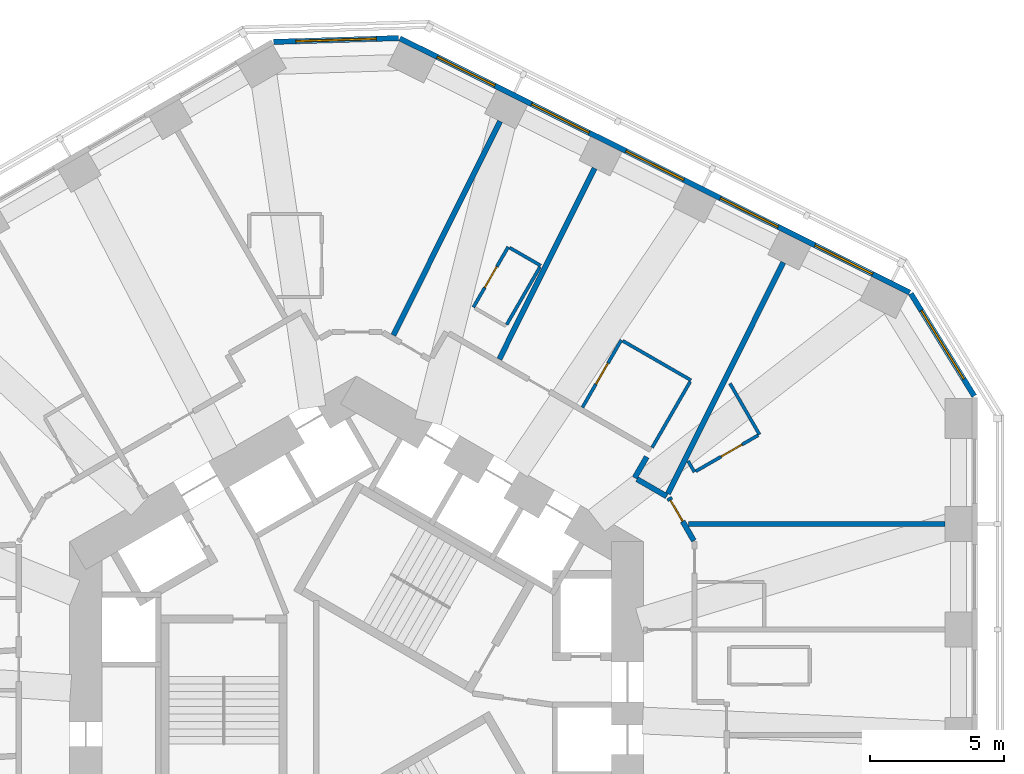
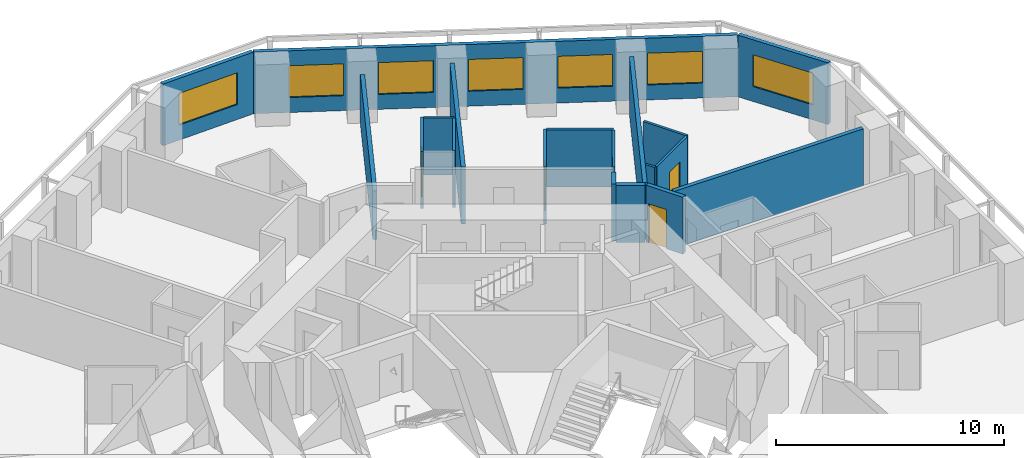
# One storey, part 9 of 12: 19 walls, 7 windows, 4 doors, 11 openings.
"""IFC4 building model written with IfcOpenShell, lengths in metres."""

import ifcopenshell
import ifcopenshell.guid

model = None  # the IFC model being written
_history = None  # IfcOwnerHistory: only IFC2X3 demands one
_inside = {}  # id of a spatial element -> (the spatial element, [elements in it])
_under = {}  # id of a project, library or spatial element -> (it, [spatial elements below it])
_declared = {}  # id of a project -> (the project, [libraries it declares])
_typed = {}  # id of a type object -> (the type object, [elements of that type])
_made_of = {}  # id of a material, layer set ... -> (it, [elements and type objects made of it])


def new_model(schema):
    """Start an empty IFC model of exactly this schema.

    Asked for "IFC4X3", IfcOpenShell would pick the latest addendum, in which some entities
    have other attributes; the version numbers below select the first issue.
    IFC2X3 requires an IfcOwnerHistory on every rooted entity: one is made here for all.
    """
    global model, _history
    if schema == "IFC4X3":
        model = ifcopenshell.file(schema_version=(4, 3, 0, 0))
    else:
        model = ifcopenshell.file(schema=schema)
    _inside.clear()
    _under.clear()
    _declared.clear()
    _typed.clear()
    _made_of.clear()
    _history = None
    if model.schema == "IFC2X3":
        org = make("IfcOrganization", Name="unknown")
        user = make(
            "IfcPersonAndOrganization",
            ThePerson=make("IfcPerson", FamilyName="unknown"),
            TheOrganization=org,
        )
        app = make(
            "IfcApplication",
            ApplicationDeveloper=org,
            Version="unknown",
            ApplicationFullName="unknown",
            ApplicationIdentifier="unknown",
        )
        _history = make(
            "IfcOwnerHistory",
            OwningUser=user,
            OwningApplication=app,
            ChangeAction="ADDED",
            CreationDate=0,
        )
    return model


def make(cls, **values):
    """One entity of the class cls with the attributes given. An attribute that is None is left unset."""
    return model.create_entity(
        cls, **{name: value for name, value in values.items() if value is not None}
    )


def rooted(cls, **values):
    """An entity with a GlobalId (a new one), such as an element, a storey or a relation."""
    return make(cls, GlobalId=ifcopenshell.guid.new(), OwnerHistory=_history, **values)


def si_unit(unit_type, name, prefix=None):
    """IfcSIUnit, for example si_unit("LENGTHUNIT", "METRE", prefix="MILLI")."""
    return make("IfcSIUnit", UnitType=unit_type, Prefix=prefix, Name=name)


def assignment(units):
    """IfcUnitAssignment: the units of a project."""
    return None if units is None else make("IfcUnitAssignment", Units=units)


def point(xyz):
    """IfcCartesianPoint."""
    return None if xyz is None else make("IfcCartesianPoint", Coordinates=xyz)


def direction(xyz):
    """IfcDirection."""
    return None if xyz is None else make("IfcDirection", DirectionRatios=xyz)


def frame(location, z_axis=None, x_axis=None):
    """IfcAxis2Placement3D, a coordinate frame: its origin and axes. An axis left out is left unset."""
    return make(
        "IfcAxis2Placement3D",
        Location=point(location),
        Axis=direction(z_axis),
        RefDirection=direction(x_axis),
    )


def frame_2d(location, x_axis=None):
    """IfcAxis2Placement2D, a coordinate frame in the plane: its origin and x axis."""
    return make(
        "IfcAxis2Placement2D", Location=point(location), RefDirection=direction(x_axis)
    )


def origin():
    """The frame at (0, 0, 0) with its axes left unset."""
    return frame((0.0, 0.0, 0.0))


def place(relative_to, where):
    """IfcLocalPlacement: puts the frame where relative to a parent placement (None: the world)."""
    return make(
        "IfcLocalPlacement", PlacementRelTo=relative_to, RelativePlacement=where
    )


def context(
    kind, dimensions, precision=None, world=None, true_north=None, identifier=None
):
    """IfcGeometricRepresentationContext, for example the 3D "Model" context."""
    return make(
        "IfcGeometricRepresentationContext",
        ContextIdentifier=identifier,
        ContextType=kind,
        CoordinateSpaceDimension=dimensions,
        Precision=precision,
        WorldCoordinateSystem=world,
        TrueNorth=true_north,
    )


def subcontext(parent, identifier, kind, view, scale=None):
    """IfcGeometricRepresentationSubContext, for example "Body" below "Model"."""
    return make(
        "IfcGeometricRepresentationSubContext",
        ContextIdentifier=identifier,
        ContextType=kind,
        ParentContext=parent,
        TargetScale=scale,
        TargetView=view,
    )


def project(units=None, contexts=None):
    """IfcProject with its units and contexts."""
    return rooted(
        "IfcProject",
        Name="project",
        RepresentationContexts=contexts,
        UnitsInContext=assignment(units),
    )


def spatial(cls, under=None, at=None, **own):
    """A site, building, storey or space (cls), placed at a placement, below another one or the project."""
    s = rooted(cls, ObjectPlacement=at, **own)
    if under is not None:
        _under.setdefault(under.id(), (under, []))[1].append(s)
    return s


def profile(cls, at=None, kind="AREA", **sizes):
    """A parametric profile (cls). Its sizes go by their IFC names, for example OverallWidth=200.0."""
    return make(cls, ProfileType=kind, Position=at, **sizes)


def rectangle(**sizes):
    """IfcRectangleProfileDef."""
    return profile("IfcRectangleProfileDef", **sizes)


def extrude(swept, where, along, depth):
    """IfcExtrudedAreaSolid: the profile swept, set in the frame where, extruded along a direction by depth."""
    return make(
        "IfcExtrudedAreaSolid",
        SweptArea=swept,
        Position=where,
        ExtrudedDirection=direction(along),
        Depth=depth,
    )


def shape(context_of_items, identifier, shape_type, items):
    """IfcShapeRepresentation: the items that make up one representation, for example the "Body"."""
    return make(
        "IfcShapeRepresentation",
        ContextOfItems=context_of_items,
        RepresentationIdentifier=identifier,
        RepresentationType=shape_type,
        Items=items,
    )


def material(Name=None, Category=None):
    """IfcMaterial."""
    return make("IfcMaterial", Name=Name, Category=Category)


def layer(
    of_material, thickness, ventilated=None, Name=None, Category=None, Priority=None
):
    """IfcMaterialLayer: one layer of a wall or slab, of a material (None: an air gap)."""
    return make(
        "IfcMaterialLayer",
        Material=of_material,
        LayerThickness=thickness,
        IsVentilated=ventilated,
        Name=Name,
        Category=Category,
        Priority=Priority,
    )


def layer_set(layers, Name=None):
    """IfcMaterialLayerSet."""
    return make("IfcMaterialLayerSet", MaterialLayers=layers, LayerSetName=Name)


def made_of(thing, what):
    """Note that an element or type object is made of a material, layer set ...; save() writes the relation."""
    if what is not None:
        _made_of.setdefault(what.id(), (what, []))[1].append(thing)
    return thing


def type_object(cls, material=None, **own):
    """A type object (cls), such as IfcWallType, which elements share."""
    return made_of(rooted(cls, **own), material)


def element(
    cls,
    number,
    at=None,
    inside=None,
    cuts=None,
    type_object=None,
    material=None,
    context=None,
    identifier="Body",
    shape_type=None,
    held_by="IfcProductDefinitionShape",
    body=None,
    shapes=None,
    **own,
):
    """One element of the class cls, such as IfcWall. Its Tag is "e" and its number.

    at: its placement. inside: the storey or other place that contains it. cuts: it is an
    opening in that element (IfcRelVoidsElement). A single representation is given by context,
    identifier, shape_type and body (its items); several are given by shapes. held_by: the class
    of the entity that holds the representations. save() writes the other relations.
    """
    e = rooted(cls, Tag="e%d" % number, ObjectPlacement=at, **own)
    if body is not None:
        shapes = [shape(context, identifier, shape_type, body)]
    if shapes is not None:
        e.Representation = make(held_by, Representations=shapes)
    if inside is not None:
        _inside.setdefault(inside.id(), (inside, []))[1].append(e)
    if cuts is not None:
        rooted(
            "IfcRelVoidsElement", RelatingBuildingElement=cuts, RelatedOpeningElement=e
        )
    if type_object is not None:
        _typed.setdefault(type_object.id(), (type_object, []))[1].append(e)
    return made_of(e, material)


def fill(opening, filler):
    """IfcRelFillsElement: the door or window that sits in an opening."""
    return rooted(
        "IfcRelFillsElement",
        RelatingOpeningElement=opening,
        RelatedBuildingElement=filler,
    )


def aggregate(whole, parts):
    """IfcRelAggregates: a whole, such as a stair, and the parts it consists of."""
    return rooted("IfcRelAggregates", RelatingObject=whole, RelatedObjects=parts)


def save(model, path):
    """Write the relations noted so far, then the file.

    IfcRelAggregates (storeys below a building ...), IfcRelContainedInSpatialStructure (elements
    in a storey), IfcRelDefinesByType, IfcRelAssociatesMaterial and IfcRelDeclares: one each for
    every whole, place, type object, material and project.
    """
    for whole, parts in _under.values():
        aggregate(whole, parts)
    for where, things in _inside.values():
        rooted(
            "IfcRelContainedInSpatialStructure",
            RelatedElements=things,
            RelatingStructure=where,
        )
    for kind, things in _typed.values():
        rooted("IfcRelDefinesByType", RelatedObjects=things, RelatingType=kind)
    for what, things in _made_of.values():
        rooted("IfcRelAssociatesMaterial", RelatedObjects=things, RelatingMaterial=what)
    for by, libraries in _declared.values():
        rooted("IfcRelDeclares", RelatingContext=by, RelatedDefinitions=libraries)
    model.write(path)


model = new_model("IFC4")

# Units and contexts
model_context = context("Model", 3, precision=1e-05, world=origin(), true_north=direction((0.0, 1.0)))
body_context = subcontext(model_context, "Body", "Model", "MODEL_VIEW")
ifc_project = project(units=[si_unit("LENGTHUNIT", "METRE"), si_unit("AREAUNIT", "SQUARE_METRE"), si_unit("VOLUMEUNIT", "CUBIC_METRE"), si_unit("PLANEANGLEUNIT", "RADIAN"), si_unit("MASSUNIT", "GRAM", prefix="KILO")], contexts=[model_context])

# Site, building, storey
site_placement = place(None, origin())
site = spatial("IfcSite", under=ifc_project, at=site_placement, CompositionType="ELEMENT")
building_placement = place(site_placement, origin())
building = spatial("IfcBuilding", under=site, at=building_placement, Name="Vanh Sen Convention Tower", CompositionType="ELEMENT")
storey_placement = place(building_placement, frame((0.0, 0.0, 60.5)))
storey = spatial("IfcBuildingStorey", under=building, at=storey_placement, Name="L12", CompositionType="ELEMENT", Elevation=60.5)

# Wall, opening, door
ifc_material_1 = material(Name="Moisture-resistant gypsum board on steel studs", Category="steel")
ifc_layer_1 = layer(ifc_material_1, 0.1201171875)
ifc_layer_set_1 = layer_set([ifc_layer_1], Name="Moisture-resistant gypsum board on steel studs")
wall_type_1 = type_object("IfcWallType", Name="Bathroom partition 120", PredefinedType="PARTITIONING", material=ifc_layer_set_1)
wall_1_placement = place(storey_placement, frame((4.356201171875, 14.922119140625, 0.0), z_axis=(0.0, 0.0, 1.0), x_axis=(0.499936506574, 0.866062058628, 0.0)))
wall_1 = element("IfcWall", 1, at=wall_1_placement, inside=storey, type_object=wall_type_1, Name="Bathroom partition 120", PredefinedType="PARTITIONING", context=body_context, shape_type="SweptSolid", body=[
    extrude(rectangle(XDim=2.599853515625, YDim=0.1201171875, at=frame_2d((1.2998046875, 0.0))), origin(), (0.0, 0.0, 1.0), 3.050048828125),
])
opening_1_placement = place(wall_1_placement, frame((0.85009765625, 0.0, 0.0)))
opening_1 = element("IfcOpeningElement", 2, at=opening_1_placement, cuts=wall_1, Name="Opening D10112", PredefinedType="OPENING", context=body_context, shape_type="SweptSolid", body=[
    extrude(rectangle(XDim=0.89990234375, YDim=2.10009765625, at=frame_2d((0.449951171875, 1.050048828125))), frame((0.0, 0.070068359375, 0.0), z_axis=(0.0, -1.0, 0.0), x_axis=(1.0, 0.0, 0.0)), (0.0, 0.0, 1.0), 0.14013671875),
])
ifc_material_2 = material(Name="Laminate door in steel frame", Category="steel")
door_type_1 = type_object("IfcDoorType", Name="En-suite door 900", OperationType="SINGLE_SWING_LEFT", PredefinedType="DOOR", material=ifc_material_2)
door_1_placement = place(opening_1_placement, origin())
door_1 = element("IfcDoor", 3, at=door_1_placement, inside=storey, type_object=door_type_1, Name="En-suite door D10112", OperationType="SINGLE_SWING_LEFT", OverallHeight=2.10009765625, OverallWidth=0.89990234375, PredefinedType="DOOR", context=body_context, shape_type="SweptSolid", body=[
    extrude(rectangle(XDim=0.89990234375, YDim=2.10009765625, at=frame_2d((0.449951171875, 1.050048828125))), frame((0.0, 0.02490234375, 0.0), z_axis=(0.0, -1.0, 0.0), x_axis=(1.0, 0.0, 0.0)), (0.0, 0.0, 1.0), 0.050048828125),
])
fill(opening_1, door_1)

# Walls
wall_2_placement = place(storey_placement, frame((5.7080078125, 17.143798828125, 0.0), z_axis=(0.0, 0.0, 1.0), x_axis=(0.866082447003, -0.499901185229, 0.0)))
element("IfcWall", 4, at=wall_2_placement, inside=storey, type_object=wall_type_1, Name="Bathroom partition 120", PredefinedType="PARTITIONING", context=body_context, shape_type="SweptSolid", body=[
    extrude(rectangle(XDim=1.340087890625, YDim=0.1201171875, at=frame_2d((0.669921875, 0.0))), origin(), (0.0, 0.0, 1.0), 3.050048828125),
])
wall_3_placement = place(storey_placement, frame((6.838623046875, 16.421875, 0.0), z_axis=(0.0, 0.0, 1.0), x_axis=(-0.50000366821, -0.866023285932, 0.0)))
element("IfcWall", 5, at=wall_3_placement, inside=storey, type_object=wall_type_1, Name="Bathroom partition 120", PredefinedType="PARTITIONING", context=body_context, shape_type="SweptSolid", body=[
    extrude(rectangle(XDim=2.47998046875, YDim=0.1201171875, at=frame_2d((1.239990234375, 0.0))), origin(), (0.0, 0.0, 1.0), 3.050048828125),
])

# Wall, opening, door
wall_4_placement = place(storey_placement, frame((8.423583984375, 11.18798828125, 0.0), z_axis=(0.0, 0.0, 1.0), x_axis=(0.49995078051, 0.866053818805, 0.0)))
wall_4 = element("IfcWall", 6, at=wall_4_placement, inside=storey, type_object=wall_type_1, Name="Bathroom partition 120", PredefinedType="PARTITIONING", context=body_context, shape_type="SweptSolid", body=[
    extrude(rectangle(XDim=2.900146484375, YDim=0.1201171875, at=frame_2d((1.4501953125, 0.0))), origin(), (0.0, 0.0, 1.0), 3.050048828125),
])
opening_2_placement = place(wall_4_placement, frame((1.0, 0.0, 0.0)))
opening_2 = element("IfcOpeningElement", 7, at=opening_2_placement, cuts=wall_4, Name="Opening D10110", PredefinedType="OPENING", context=body_context, shape_type="SweptSolid", body=[
    extrude(rectangle(XDim=0.89990234375, YDim=2.10009765625, at=frame_2d((0.449951171875, 1.050048828125))), frame((0.0, 0.070068359375, 0.0), z_axis=(0.0, -1.0, 0.0), x_axis=(1.0, 0.0, 0.0)), (0.0, 0.0, 1.0), 0.14013671875),
])
door_2_placement = place(opening_2_placement, origin())
door_2 = element("IfcDoor", 8, at=door_2_placement, inside=storey, type_object=door_type_1, Name="En-suite door D10110", OperationType="SINGLE_SWING_LEFT", OverallHeight=2.10009765625, OverallWidth=0.89990234375, PredefinedType="DOOR", context=body_context, shape_type="SweptSolid", body=[
    extrude(rectangle(XDim=0.89990234375, YDim=2.10009765625, at=frame_2d((0.449951171875, 1.050048828125))), frame((0.0, 0.02490234375, 0.0), z_axis=(0.0, -1.0, 0.0), x_axis=(1.0, 0.0, 0.0)), (0.0, 0.0, 1.0), 0.050048828125),
])
fill(opening_2, door_2)

# Walls
wall_5_placement = place(storey_placement, frame((9.925537109375, 13.669677734375, 0.0), z_axis=(0.0, 0.0, 1.0), x_axis=(0.866032090307, -0.499988418424, 0.0)))
element("IfcWall", 9, at=wall_5_placement, inside=storey, type_object=wall_type_1, Name="Bathroom partition 120", PredefinedType="PARTITIONING", context=body_context, shape_type="SweptSolid", body=[
    extrude(rectangle(XDim=2.93994140625, YDim=0.1201171875, at=frame_2d((1.469970703125, 0.0))), origin(), (0.0, 0.0, 1.0), 3.050048828125),
])
wall_6_placement = place(storey_placement, frame((12.441650390625, 12.147705078125, 0.0), z_axis=(0.0, 0.0, 1.0), x_axis=(-0.49994816717, -0.866055327414, 0.0)))
element("IfcWall", 10, at=wall_6_placement, inside=storey, type_object=wall_type_1, Name="Bathroom partition 120", PredefinedType="PARTITIONING", context=body_context, shape_type="SweptSolid", body=[
    extrude(rectangle(XDim=2.840087890625, YDim=0.1201171875, at=frame_2d((1.419921875, 0.0))), origin(), (0.0, 0.0, 1.0), 3.050048828125),
])
wall_7_placement = place(storey_placement, frame((12.600830078125, 8.776123046875, 0.0), z_axis=(0.0, 0.0, 1.0), x_axis=(-0.500166486798, 0.865929261247, 0.0)))
element("IfcWall", 11, at=wall_7_placement, inside=storey, type_object=wall_type_1, Name="Bathroom partition 120", PredefinedType="PARTITIONING", context=body_context, shape_type="SweptSolid", body=[
    extrude(rectangle(XDim=0.475830078125, YDim=0.1201171875, at=frame_2d((0.23779296875, 0.0))), origin(), (0.0, 0.0, 1.0), 3.050048828125),
])
wall_8_placement = place(storey_placement, frame((13.92578125, 12.081298828125, 0.0), z_axis=(0.0, 0.0, 1.0), x_axis=(0.499994660107, -0.866028486751, 0.0)))
element("IfcWall", 12, at=wall_8_placement, inside=storey, type_object=wall_type_1, Name="Bathroom partition 120", PredefinedType="PARTITIONING", context=body_context, shape_type="SweptSolid", body=[
    extrude(rectangle(XDim=2.19970703125, YDim=0.1201171875, at=frame_2d((1.099853515625, 0.0))), origin(), (0.0, 0.0, 1.0), 3.050048828125),
])

# Wall, opening, door
wall_9_placement = place(storey_placement, frame((14.9736328125, 10.146240234375, 0.0), z_axis=(0.0, 0.0, 1.0), x_axis=(-0.86599746015, -0.500048396672, 0.0)))
wall_9 = element("IfcWall", 13, at=wall_9_placement, inside=storey, type_object=wall_type_1, Name="Bathroom partition 120", PredefinedType="PARTITIONING", context=body_context, shape_type="SweptSolid", body=[
    extrude(rectangle(XDim=2.679931640625, YDim=0.1201171875, at=frame_2d((1.33984375, 0.0))), origin(), (0.0, 0.0, 1.0), 3.050048828125),
])
opening_3_placement = place(wall_9_placement, frame((0.68994140625, 0.0, 0.0)))
opening_3 = element("IfcOpeningElement", 14, at=opening_3_placement, cuts=wall_9, Name="Opening D10108", PredefinedType="OPENING", context=body_context, shape_type="SweptSolid", body=[
    extrude(rectangle(XDim=0.89990234375, YDim=2.10009765625, at=frame_2d((0.449951171875, 1.050048828125))), frame((0.0, 0.070068359375, 0.0), z_axis=(0.0, -1.0, 0.0), x_axis=(1.0, 0.0, 0.0)), (0.0, 0.0, 1.0), 0.14013671875),
])
door_3_placement = place(opening_3_placement, origin())
door_3 = element("IfcDoor", 15, at=door_3_placement, inside=storey, type_object=door_type_1, Name="En-suite door D10108", OperationType="SINGLE_SWING_LEFT", OverallHeight=2.10009765625, OverallWidth=0.89990234375, PredefinedType="DOOR", context=body_context, shape_type="SweptSolid", body=[
    extrude(rectangle(XDim=0.89990234375, YDim=2.10009765625, at=frame_2d((0.449951171875, 1.050048828125))), frame((0.0, 0.02490234375, 0.0), z_axis=(0.0, -1.0, 0.0), x_axis=(1.0, 0.0, 0.0)), (0.0, 0.0, 1.0), 0.050048828125),
])
fill(opening_3, door_3)

# Walls
ifc_material_3 = material(Name="Gypsum board on steel studs with mineral wool", Category="steel")
ifc_layer_2 = layer(ifc_material_3, 0.199951171875)
ifc_layer_set_2 = layer_set([ifc_layer_2], Name="Gypsum board on steel studs with mineral wool")
wall_type_2 = type_object("IfcWallType", Name="Corridor partition wall 200", PredefinedType="PARTITIONING", material=ifc_layer_set_2)
wall_10_placement = place(storey_placement, frame((10.37109375, 8.561279296875, 0.0), z_axis=(0.0, 0.0, 1.0), x_axis=(0.50004290449, 0.866000631449, 0.0)))
element("IfcWall", 16, at=wall_10_placement, inside=storey, type_object=wall_type_2, Name="Corridor partition wall 200", PredefinedType="PARTITIONING", context=body_context, shape_type="SweptSolid", body=[
    extrude(rectangle(XDim=0.9013671875, YDim=0.199951171875, at=frame_2d((0.45068359375, 0.0))), origin(), (0.0, 0.0, 1.0), 3.050048828125),
])
wall_11_placement = place(storey_placement, frame((11.56640625, 7.871337890625, 0.0), z_axis=(0.0, 0.0, 1.0), x_axis=(-0.866004557827, 0.500036104519, 0.0)))
element("IfcWall", 17, at=wall_11_placement, inside=storey, type_object=wall_type_2, Name="Corridor partition wall 200", PredefinedType="PARTITIONING", context=body_context, shape_type="SweptSolid", body=[
    extrude(rectangle(XDim=1.2802734375, YDim=0.199951171875, at=frame_2d((0.64013671875, 0.0))), origin(), (0.0, 0.0, 1.0), 3.050048828125),
])

# Wall, opening, door
wall_12_placement = place(storey_placement, frame((12.580078125, 6.212158203125, 0.0), z_axis=(0.0, 0.0, 1.0), x_axis=(-0.500063286585, 0.865988862174, 0.0)))
wall_12 = element("IfcWall", 18, at=wall_12_placement, inside=storey, type_object=wall_type_2, Name="Corridor partition wall 200", PredefinedType="PARTITIONING", context=body_context, shape_type="SweptSolid", body=[
    extrude(rectangle(XDim=1.860107421875, YDim=0.199951171875, at=frame_2d((0.93017578125, 0.0))), origin(), (0.0, 0.0, 1.0), 3.050048828125),
])
opening_4_placement = place(wall_12_placement, frame((0.841796875, 0.0, 0.0)))
opening_4 = element("IfcOpeningElement", 19, at=opening_4_placement, cuts=wall_12, Name="Opening D10107", PredefinedType="OPENING", context=body_context, shape_type="SweptSolid", body=[
    extrude(rectangle(XDim=0.89990234375, YDim=2.10009765625, at=frame_2d((0.449951171875, 1.050048828125))), frame((0.0, 0.10986328125, 0.0), z_axis=(0.0, -1.0, 0.0), x_axis=(1.0, 0.0, 0.0)), (0.0, 0.0, 1.0), 0.219970703125),
])
ifc_material_4 = material(Name="Timber fire door in steel frame", Category="steel")
door_type_2 = type_object("IfcDoorType", Name="Guest room door 900", OperationType="SINGLE_SWING_LEFT", PredefinedType="DOOR", material=ifc_material_4)
door_4_placement = place(opening_4_placement, origin())
door_4 = element("IfcDoor", 20, at=door_4_placement, inside=storey, type_object=door_type_2, Name="Hotel guest room door D10107", OperationType="SINGLE_SWING_LEFT", OverallHeight=2.10009765625, OverallWidth=0.89990234375, PredefinedType="DOOR", context=body_context, shape_type="SweptSolid", body=[
    extrude(rectangle(XDim=0.89990234375, YDim=2.10009765625, at=frame_2d((0.449951171875, 1.050048828125))), frame((0.0, 0.02490234375, 0.0), z_axis=(0.0, -1.0, 0.0), x_axis=(1.0, 0.0, 0.0)), (0.0, 0.0, 1.0), 0.050048828125),
])
fill(opening_4, door_4)

# Wall, opening, window
ifc_material_5 = material(Name="Insulated lightweight infill wall")
ifc_layer_3 = layer(ifc_material_5, 0.199951171875)
ifc_layer_set_3 = layer_set([ifc_layer_3], Name="Insulated lightweight infill wall")
wall_type_3 = type_object("IfcWallType", Name="External wall 200", PredefinedType="STANDARD", material=ifc_layer_set_3)
wall_13_placement = place(storey_placement, frame((23.034912109375, 11.612060546875, 0.0), z_axis=(0.0, 0.0, 1.0), x_axis=(-0.526160091227, 0.850385535155, 0.0)))
wall_13 = element("IfcWall", 21, at=wall_13_placement, inside=storey, type_object=wall_type_3, Name="External wall CH1 L12", PredefinedType="STANDARD", context=body_context, shape_type="SweptSolid", body=[
    extrude(rectangle(XDim=4.493896484375, YDim=0.199951171875, at=frame_2d((2.2470703125, 0.0))), origin(), (0.0, 0.0, 1.0), 3.300048828125),
])
opening_5_placement = place(wall_13_placement, frame((0.746826171875, 0.0, 0.800048828125)))
opening_5 = element("IfcOpeningElement", 22, at=opening_5_placement, cuts=wall_13, Name="Opening WH2-CH11", PredefinedType="OPENING", context=body_context, shape_type="SweptSolid", body=[
    extrude(rectangle(XDim=3.0, YDim=1.699951171875, at=frame_2d((1.5, 0.85009765625))), frame((0.0, 0.10986328125, 0.0), z_axis=(0.0, -1.0, 0.0), x_axis=(1.0, 0.0, 0.0)), (0.0, 0.0, 1.0), 0.219970703125),
])
ifc_material_6 = material(Name="Aluminium frame with clear low-emissivity glass", Category="aluminium")
window_type_1 = type_object("IfcWindowType", Name="Hotel window 3000 x 1700", PartitioningType="SINGLE_PANEL", PredefinedType="WINDOW", material=ifc_material_6)
window_1_placement = place(opening_5_placement, origin())
window_1 = element("IfcWindow", 23, at=window_1_placement, inside=storey, type_object=window_type_1, Name="Window WH2-CH11", OverallHeight=1.699951171875, OverallWidth=3.0, PartitioningType="SINGLE_PANEL", PredefinedType="WINDOW", context=body_context, shape_type="SweptSolid", body=[
    extrude(rectangle(XDim=3.0, YDim=1.699951171875, at=frame_2d((1.5, 0.85009765625))), frame((0.0, 0.030029296875, 0.0), z_axis=(0.0, -1.0, 0.0), x_axis=(1.0, 0.0, 0.0)), (0.0, 0.0, 1.0), 0.06005859375),
])
fill(opening_5, window_1)

# Wall, openings, windows
wall_14_placement = place(storey_placement, frame((20.6298828125, 15.470458984375, 0.0), z_axis=(0.0, 0.0, 1.0), x_axis=(-0.894934518609, 0.446197498203, 0.0)))
wall_14 = element("IfcWall", 24, at=wall_14_placement, inside=storey, type_object=wall_type_3, Name="External wall NE L12", PredefinedType="STANDARD", context=body_context, shape_type="SweptSolid", body=[
    extrude(rectangle(XDim=21.24609375, YDim=0.199951171875, at=frame_2d((10.623046875, 0.0))), origin(), (0.0, 0.0, 1.0), 3.300048828125),
])
opening_6_placement = place(wall_14_placement, frame((1.552978515625, 0.0, 0.800048828125)))
opening_6 = element("IfcOpeningElement", 25, at=opening_6_placement, cuts=wall_14, Name="Opening WH1-NE1", PredefinedType="OPENING", context=body_context, shape_type="SweptSolid", body=[
    extrude(rectangle(XDim=2.39990234375, YDim=1.699951171875, at=frame_2d((1.199951171875, 0.85009765625))), frame((0.0, 0.10986328125, 0.0), z_axis=(0.0, -1.0, 0.0), x_axis=(1.0, 0.0, 0.0)), (0.0, 0.0, 1.0), 0.219970703125),
])
opening_7_placement = place(wall_14_placement, frame((5.48779296875, 0.0, 0.800048828125)))
opening_7 = element("IfcOpeningElement", 26, at=opening_7_placement, cuts=wall_14, Name="Opening WH1-NE2", PredefinedType="OPENING", context=body_context, shape_type="SweptSolid", body=[
    extrude(rectangle(XDim=2.39990234375, YDim=1.699951171875, at=frame_2d((1.199951171875, 0.85009765625))), frame((0.0, 0.10986328125, 0.0), z_axis=(0.0, -1.0, 0.0), x_axis=(1.0, 0.0, 0.0)), (0.0, 0.0, 1.0), 0.219970703125),
])
opening_8_placement = place(wall_14_placement, frame((9.42236328125, 0.0, 0.800048828125)))
opening_8 = element("IfcOpeningElement", 27, at=opening_8_placement, cuts=wall_14, Name="Opening WH1-NE3", PredefinedType="OPENING", context=body_context, shape_type="SweptSolid", body=[
    extrude(rectangle(XDim=2.39990234375, YDim=1.699951171875, at=frame_2d((1.199951171875, 0.85009765625))), frame((0.0, 0.10986328125, 0.0), z_axis=(0.0, -1.0, 0.0), x_axis=(1.0, 0.0, 0.0)), (0.0, 0.0, 1.0), 0.219970703125),
])
opening_9_placement = place(wall_14_placement, frame((13.35693359375, 0.0, 0.800048828125)))
opening_9 = element("IfcOpeningElement", 28, at=opening_9_placement, cuts=wall_14, Name="Opening WH1-NE4", PredefinedType="OPENING", context=body_context, shape_type="SweptSolid", body=[
    extrude(rectangle(XDim=2.39990234375, YDim=1.699951171875, at=frame_2d((1.199951171875, 0.85009765625))), frame((0.0, 0.10986328125, 0.0), z_axis=(0.0, -1.0, 0.0), x_axis=(1.0, 0.0, 0.0)), (0.0, 0.0, 1.0), 0.219970703125),
])
opening_10_placement = place(wall_14_placement, frame((17.29150390625, 0.0, 0.800048828125)))
opening_10 = element("IfcOpeningElement", 29, at=opening_10_placement, cuts=wall_14, Name="Opening WH1-NE5", PredefinedType="OPENING", context=body_context, shape_type="SweptSolid", body=[
    extrude(rectangle(XDim=2.39990234375, YDim=1.699951171875, at=frame_2d((1.199951171875, 0.85009765625))), frame((0.0, 0.10986328125, 0.0), z_axis=(0.0, -1.0, 0.0), x_axis=(1.0, 0.0, 0.0)), (0.0, 0.0, 1.0), 0.219970703125),
])
window_type_2 = type_object("IfcWindowType", Name="Hotel window 2400 x 1700", PartitioningType="SINGLE_PANEL", PredefinedType="WINDOW", material=ifc_material_6)
window_2_placement = place(opening_6_placement, origin())
window_2 = element("IfcWindow", 30, at=window_2_placement, inside=storey, type_object=window_type_2, Name="Window WH1-NE1", OverallHeight=1.699951171875, OverallWidth=2.39990234375, PartitioningType="SINGLE_PANEL", PredefinedType="WINDOW", context=body_context, shape_type="SweptSolid", body=[
    extrude(rectangle(XDim=2.39990234375, YDim=1.699951171875, at=frame_2d((1.199951171875, 0.85009765625))), frame((0.0, 0.030029296875, 0.0), z_axis=(0.0, -1.0, 0.0), x_axis=(1.0, 0.0, 0.0)), (0.0, 0.0, 1.0), 0.06005859375),
])
fill(opening_6, window_2)
window_3_placement = place(opening_7_placement, origin())
window_3 = element("IfcWindow", 31, at=window_3_placement, inside=storey, type_object=window_type_2, Name="Window WH1-NE2", OverallHeight=1.699951171875, OverallWidth=2.39990234375, PartitioningType="SINGLE_PANEL", PredefinedType="WINDOW", context=body_context, shape_type="SweptSolid", body=[
    extrude(rectangle(XDim=2.39990234375, YDim=1.699951171875, at=frame_2d((1.199951171875, 0.85009765625))), frame((0.0, 0.030029296875, 0.0), z_axis=(0.0, -1.0, 0.0), x_axis=(1.0, 0.0, 0.0)), (0.0, 0.0, 1.0), 0.06005859375),
])
fill(opening_7, window_3)
window_4_placement = place(opening_8_placement, origin())
window_4 = element("IfcWindow", 32, at=window_4_placement, inside=storey, type_object=window_type_2, Name="Window WH1-NE3", OverallHeight=1.699951171875, OverallWidth=2.39990234375, PartitioningType="SINGLE_PANEL", PredefinedType="WINDOW", context=body_context, shape_type="SweptSolid", body=[
    extrude(rectangle(XDim=2.39990234375, YDim=1.699951171875, at=frame_2d((1.199951171875, 0.85009765625))), frame((0.0, 0.030029296875, 0.0), z_axis=(0.0, -1.0, 0.0), x_axis=(1.0, 0.0, 0.0)), (0.0, 0.0, 1.0), 0.06005859375),
])
fill(opening_8, window_4)
window_5_placement = place(opening_9_placement, origin())
window_5 = element("IfcWindow", 33, at=window_5_placement, inside=storey, type_object=window_type_2, Name="Window WH1-NE4", OverallHeight=1.699951171875, OverallWidth=2.39990234375, PartitioningType="SINGLE_PANEL", PredefinedType="WINDOW", context=body_context, shape_type="SweptSolid", body=[
    extrude(rectangle(XDim=2.39990234375, YDim=1.699951171875, at=frame_2d((1.199951171875, 0.85009765625))), frame((0.0, 0.030029296875, 0.0), z_axis=(0.0, -1.0, 0.0), x_axis=(1.0, 0.0, 0.0)), (0.0, 0.0, 1.0), 0.06005859375),
])
fill(opening_9, window_5)
window_6_placement = place(opening_10_placement, origin())
window_6 = element("IfcWindow", 34, at=window_6_placement, inside=storey, type_object=window_type_2, Name="Window WH1-NE5", OverallHeight=1.699951171875, OverallWidth=2.39990234375, PartitioningType="SINGLE_PANEL", PredefinedType="WINDOW", context=body_context, shape_type="SweptSolid", body=[
    extrude(rectangle(XDim=2.39990234375, YDim=1.699951171875, at=frame_2d((1.199951171875, 0.85009765625))), frame((0.0, 0.030029296875, 0.0), z_axis=(0.0, -1.0, 0.0), x_axis=(1.0, 0.0, 0.0)), (0.0, 0.0, 1.0), 0.06005859375),
])
fill(opening_10, window_6)

# Wall, opening, window
wall_15_placement = place(storey_placement, frame((1.568359375, 24.9609375, 0.0), z_axis=(0.0, 0.0, 1.0), x_axis=(-0.999533359013, -0.030546099927, 0.0)))
wall_15 = element("IfcWall", 35, at=wall_15_placement, inside=storey, type_object=wall_type_3, Name="External wall CH2 L12", PredefinedType="STANDARD", context=body_context, shape_type="SweptSolid", body=[
    extrude(rectangle(XDim=4.65966796875, YDim=0.199951171875, at=frame_2d((2.329833984375, 0.0))), origin(), (0.0, 0.0, 1.0), 3.300048828125),
])
opening_11_placement = place(wall_15_placement, frame((0.829833984375, 0.0, 0.800048828125)))
opening_11 = element("IfcOpeningElement", 36, at=opening_11_placement, cuts=wall_15, Name="Opening WH2-CH21", PredefinedType="OPENING", context=body_context, shape_type="SweptSolid", body=[
    extrude(rectangle(XDim=3.0, YDim=1.699951171875, at=frame_2d((1.5, 0.85009765625))), frame((0.0, 0.10986328125, 0.0), z_axis=(0.0, -1.0, 0.0), x_axis=(1.0, 0.0, 0.0)), (0.0, 0.0, 1.0), 0.219970703125),
])
window_7_placement = place(opening_11_placement, origin())
window_7 = element("IfcWindow", 37, at=window_7_placement, inside=storey, type_object=window_type_1, Name="Window WH2-CH21", OverallHeight=1.699951171875, OverallWidth=3.0, PartitioningType="SINGLE_PANEL", PredefinedType="WINDOW", context=body_context, shape_type="SweptSolid", body=[
    extrude(rectangle(XDim=3.0, YDim=1.699951171875, at=frame_2d((1.5, 0.85009765625))), frame((0.0, 0.030029296875, 0.0), z_axis=(0.0, -1.0, 0.0), x_axis=(1.0, 0.0, 0.0)), (0.0, 0.0, 1.0), 0.06005859375),
])
fill(opening_11, window_7)

# Walls
ifc_layer_4 = layer(ifc_material_3, 0.199951171875)
ifc_layer_set_4 = layer_set([ifc_layer_4], Name="Gypsum board on steel studs with mineral wool")
wall_type_4 = type_object("IfcWallType", Name="Hotel party wall 200", PredefinedType="PARTITIONING", material=ifc_layer_set_4)
wall_16_placement = place(storey_placement, frame((5.35107421875, 21.859130859375, 0.0), z_axis=(0.0, 0.0, 1.0), x_axis=(-0.446205309328, -0.894930624086, 0.0)))
element("IfcWall", 38, at=wall_16_placement, inside=storey, type_object=wall_type_4, Name="Hotel party wall 200", PredefinedType="PARTITIONING", context=body_context, shape_type="SweptSolid", body=[
    extrude(rectangle(XDim=8.9130859375, YDim=0.199951171875, at=frame_2d((4.45654296875, 0.0))), origin(), (0.0, 0.0, 1.0), 2.60009765625),
])
wall_17_placement = place(storey_placement, frame((8.872314453125, 20.103515625, 0.0), z_axis=(0.0, 0.0, 1.0), x_axis=(-0.446218378653, -0.894924107706, 0.0)))
element("IfcWall", 39, at=wall_17_placement, inside=storey, type_object=wall_type_4, Name="Hotel party wall 200", PredefinedType="PARTITIONING", context=body_context, shape_type="SweptSolid", body=[
    extrude(rectangle(XDim=7.950439453125, YDim=0.199951171875, at=frame_2d((3.97509765625, 0.0))), origin(), (0.0, 0.0, 1.0), 3.050048828125),
])
wall_18_placement = place(storey_placement, frame((15.91455078125, 16.59228515625, 0.0), z_axis=(0.0, 0.0, 1.0), x_axis=(-0.446199736347, -0.894933402709, 0.0)))
element("IfcWall", 40, at=wall_18_placement, inside=storey, type_object=wall_type_4, Name="Hotel party wall 200", PredefinedType="PARTITIONING", context=body_context, shape_type="SweptSolid", body=[
    extrude(rectangle(XDim=9.634765625, YDim=0.199951171875, at=frame_2d((4.8173828125, 0.0))), origin(), (0.0, 0.0, 1.0), 3.050048828125),
])
wall_19_placement = place(storey_placement, frame((21.949951171875, 6.839111328125, 0.0), z_axis=(0.0, 0.0, 1.0), x_axis=(-1.0, 0.0, 0.0)))
element("IfcWall", 41, at=wall_19_placement, inside=storey, type_object=wall_type_4, Name="Hotel party wall 200", PredefinedType="PARTITIONING", context=body_context, shape_type="SweptSolid", body=[
    extrude(rectangle(XDim=9.57177734375, YDim=0.199951171875, at=frame_2d((4.785888671875, 0.0))), origin(), (0.0, 0.0, 1.0), 3.050048828125),
])

save(model, "model.ifc")
